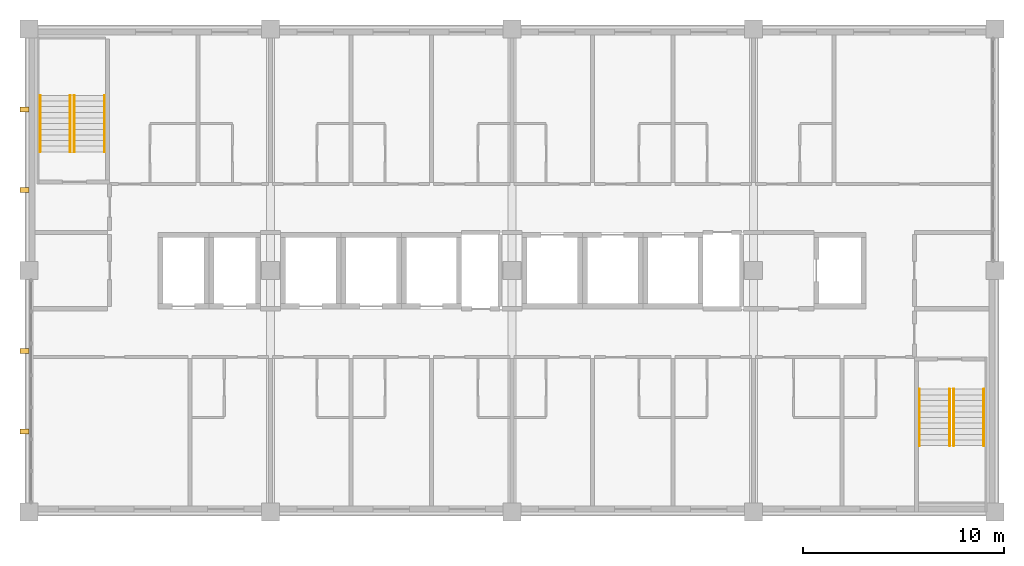
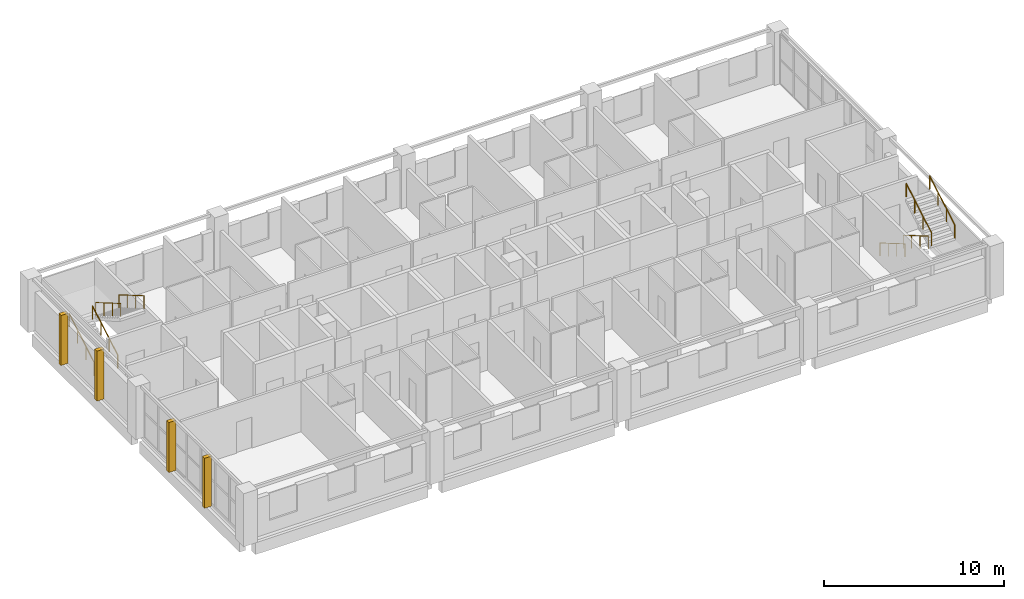
# One storey, part 11 of 11: 8 railings, 4 coverings.
"""IFC4 building model written with IfcOpenShell, lengths in metres."""

from ifc_helpers import new_model, si_unit, direction, frame, frame_2d, origin, origin_2d, place, context, subcontext, project, spatial, rectangle, circle, extrude, material, layer, layer_set, type_object, element, save


model = new_model("IFC4")

# Units and contexts
model_context = context("Model", 3, precision=1e-05, world=origin(), true_north=direction((0.0, 1.0)))
body_context = subcontext(model_context, "Body", "Model", "MODEL_VIEW")
ifc_project = project(units=[si_unit("LENGTHUNIT", "METRE"), si_unit("AREAUNIT", "SQUARE_METRE"), si_unit("VOLUMEUNIT", "CUBIC_METRE"), si_unit("PLANEANGLEUNIT", "RADIAN"), si_unit("MASSUNIT", "GRAM", prefix="KILO")], contexts=[model_context])

# Site, building, storey
site_placement = place(None, origin())
site = spatial("IfcSite", under=ifc_project, at=site_placement, CompositionType="ELEMENT")
building_placement = place(site_placement, origin())
building = spatial("IfcBuilding", under=site, at=building_placement, Name="Lilac Gate Convention Centre", CompositionType="ELEMENT")
storey_placement = place(building_placement, frame((0.0, 0.0, 28.199951171875)))
storey = spatial("IfcBuildingStorey", under=building, at=storey_placement, Name="L06", CompositionType="ELEMENT", Elevation=28.199951171875)

# Coverings
ifc_material_1 = material(Name="Concrete C40 precast", Category="concrete")
ifc_layer_1 = layer(ifc_material_1, 0.22998046875)
ifc_material_2 = material(Name="Terracotta glazed cladding", Category="masonry")
ifc_layer_2 = layer(ifc_material_2, 0.02001953125)
ifc_layer_set = layer_set([ifc_layer_1, ifc_layer_2], Name="Concrete C40 precast, Terracotta glazed cladding")
covering_type = type_object("IfcCoveringType", Name="Precast fin 250 x 450", PredefinedType="CLADDING", material=ifc_layer_set)
for number, where, z_axis, x_axis, name in (
    (1, (41.550048828125, 226.0, 0.0), (0.0, 0.0, 1.0), (1.0, 0.0, 0.0), "Precast fin west L06 226"),
    (2, (41.550048828125, 230.0, 0.0), (0.0, 0.0, 1.0), (1.0, 0.0, 0.0), "Precast fin west L06 230"),
    (3, (41.550048828125, 238.0, 0.0), (0.0, 0.0, 1.0), (1.0, 0.0, 0.0), "Precast fin west L06 238"),
    (4, (41.550048828125, 242.0, 0.0), (0.0, 0.0, 1.0), (1.0, 0.0, 0.0), "Precast fin west L06 242"),
):
    element("IfcCovering", number, at=place(storey_placement, frame(where, z_axis=z_axis, x_axis=x_axis)), inside=storey, type_object=covering_type, Name=name, PredefinedType="CLADDING", context=body_context, shape_type="SweptSolid", body=[
        extrude(rectangle(XDim=0.449951171875, YDim=0.25, at=frame_2d((0.22509765625, 0.0))), origin(), (0.0, 0.0, 1.0), 3.400146484375),
    ])

# Railings
ifc_material_3 = material(Name="Stainless steel 304", Category="steel")
railing_type = type_object("IfcRailingType", Name="Stair handrail", PredefinedType="HANDRAIL", material=ifc_material_3)
for number, where, name in (
    (5, (42.550048828125, 239.89990234375, 0.16357421875), "Handrail NW L06 flight 1"),
    (6, (44.050048828125, 239.89990234375, 0.16357421875), "Handrail NW L06 flight 1"),
):
    element("IfcRailing", number, at=place(storey_placement, frame(where)), inside=storey, type_object=railing_type, Name=name, PredefinedType="HANDRAIL", context=body_context, shape_type="SweptSolid", body=[
        extrude(circle(Radius=0.02392578125, at=origin_2d()), frame((0.0, 0.0, 0.8759765625), z_axis=(0.0, 0.863360870873, 0.504586966384), x_axis=(-1.0, 0.0, 0.0)), (0.0, 0.0, 1.0), 3.2431640625),
        extrude(circle(Radius=0.02099609375, at=origin_2d()), origin(), (0.0, 0.0, 1.0), 0.851806640625),
        extrude(circle(Radius=0.02099609375, at=origin_2d()), frame((0.0, 0.933349609375, 0.54541015625)), (0.0, 0.0, 1.0), 0.851806640625),
        extrude(circle(Radius=0.02099609375, at=origin_2d()), frame((0.0, 1.86669921875, 1.091064453125)), (0.0, 0.0, 1.0), 0.851806640625),
        extrude(circle(Radius=0.02099609375, at=origin_2d()), frame((0.0, 2.800048828125, 1.636474609375)), (0.0, 0.0, 1.0), 0.851806640625),
    ])
for number, where, name in (
    (7, (45.75, 242.699951171875, 1.963623046875), "Handrail NW L06 flight 2"),
    (8, (44.25, 242.699951171875, 1.963623046875), "Handrail NW L06 flight 2"),
    (9, (87.75, 228.10009765625, 0.16357421875), "Handrail SE L06 flight 1"),
    (10, (86.25, 228.10009765625, 0.16357421875), "Handrail SE L06 flight 1"),
):
    element("IfcRailing", number, at=place(storey_placement, frame(where)), inside=storey, type_object=railing_type, Name=name, PredefinedType="HANDRAIL", context=body_context, shape_type="SweptSolid", body=[
        extrude(circle(Radius=0.02392578125, at=origin_2d()), frame((0.0, 0.0, 0.8759765625), z_axis=(0.0, -0.863360870873, 0.504586966384), x_axis=(1.0, 0.0, 0.0)), (0.0, 0.0, 1.0), 3.2431640625),
        extrude(circle(Radius=0.02099609375, at=origin_2d()), origin(), (0.0, 0.0, 1.0), 0.851806640625),
        extrude(circle(Radius=0.02099609375, at=origin_2d()), frame((0.0, -0.933349609375, 0.54541015625)), (0.0, 0.0, 1.0), 0.851806640625),
        extrude(circle(Radius=0.02099609375, at=origin_2d()), frame((0.0, -1.86669921875, 1.091064453125)), (0.0, 0.0, 1.0), 0.851806640625),
        extrude(circle(Radius=0.02099609375, at=origin_2d()), frame((0.0, -2.800048828125, 1.636474609375)), (0.0, 0.0, 1.0), 0.851806640625),
    ])
for number, where, name in (
    (11, (87.949951171875, 225.300048828125, 1.963623046875), "Handrail SE L06 flight 2"),
    (12, (89.449951171875, 225.300048828125, 1.963623046875), "Handrail SE L06 flight 2"),
):
    element("IfcRailing", number, at=place(storey_placement, frame(where)), inside=storey, type_object=railing_type, Name=name, PredefinedType="HANDRAIL", context=body_context, shape_type="SweptSolid", body=[
        extrude(circle(Radius=0.02392578125, at=origin_2d()), frame((0.0, 0.0, 0.8759765625), z_axis=(0.0, 0.863360870873, 0.504586966384), x_axis=(-1.0, 0.0, 0.0)), (0.0, 0.0, 1.0), 3.2431640625),
        extrude(circle(Radius=0.02099609375, at=origin_2d()), origin(), (0.0, 0.0, 1.0), 0.851806640625),
        extrude(circle(Radius=0.02099609375, at=origin_2d()), frame((0.0, 0.933349609375, 0.54541015625)), (0.0, 0.0, 1.0), 0.851806640625),
        extrude(circle(Radius=0.02099609375, at=origin_2d()), frame((0.0, 1.86669921875, 1.091064453125)), (0.0, 0.0, 1.0), 0.851806640625),
        extrude(circle(Radius=0.02099609375, at=origin_2d()), frame((0.0, 2.800048828125, 1.636474609375)), (0.0, 0.0, 1.0), 0.851806640625),
    ])

save(model, "model.ifc")
